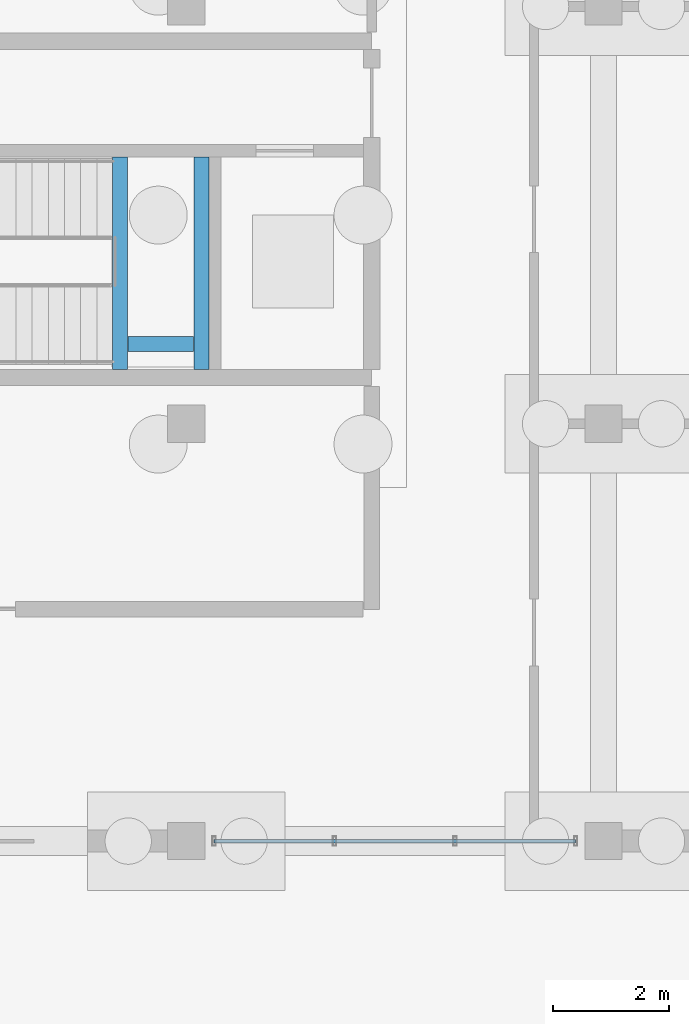
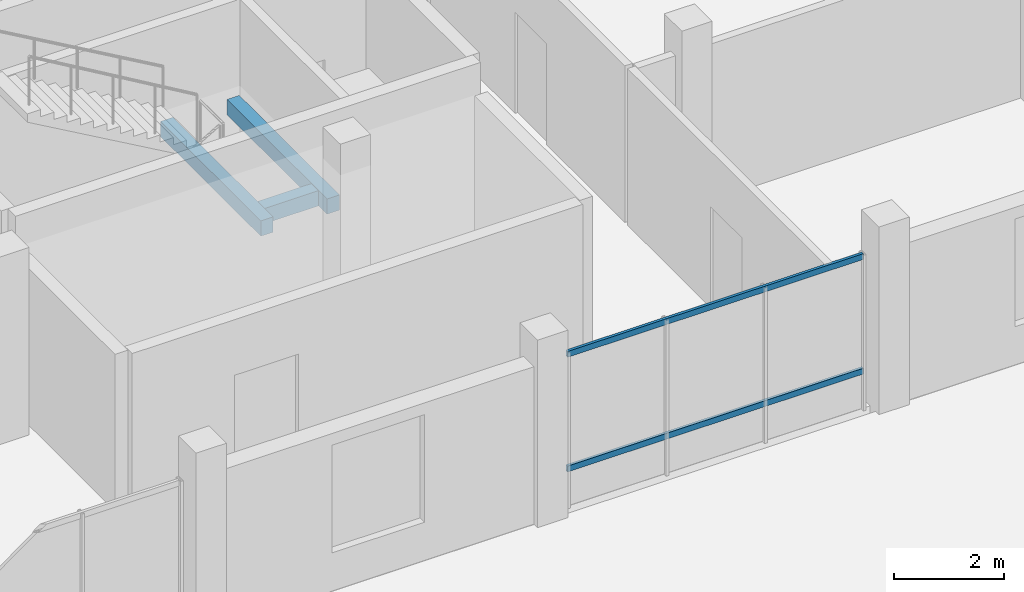
# One storey, part 53 of 98: 3 beams, 2 members, 1 element without a shape of its own.
"""IFC4 building model written with IfcOpenShell, lengths in metres."""

import ifcopenshell
import ifcopenshell.guid

model = None  # the IFC model being written
_history = None  # IfcOwnerHistory: only IFC2X3 demands one
_inside = {}  # id of a spatial element -> (the spatial element, [elements in it])
_under = {}  # id of a project, library or spatial element -> (it, [spatial elements below it])
_declared = {}  # id of a project -> (the project, [libraries it declares])
_typed = {}  # id of a type object -> (the type object, [elements of that type])
_made_of = {}  # id of a material, layer set ... -> (it, [elements and type objects made of it])


def new_model(schema):
    """Start an empty IFC model of exactly this schema.

    Asked for "IFC4X3", IfcOpenShell would pick the latest addendum, in which some entities
    have other attributes; the version numbers below select the first issue.
    IFC2X3 requires an IfcOwnerHistory on every rooted entity: one is made here for all.
    """
    global model, _history
    if schema == "IFC4X3":
        model = ifcopenshell.file(schema_version=(4, 3, 0, 0))
    else:
        model = ifcopenshell.file(schema=schema)
    _inside.clear()
    _under.clear()
    _declared.clear()
    _typed.clear()
    _made_of.clear()
    _history = None
    if model.schema == "IFC2X3":
        org = make("IfcOrganization", Name="unknown")
        user = make(
            "IfcPersonAndOrganization",
            ThePerson=make("IfcPerson", FamilyName="unknown"),
            TheOrganization=org,
        )
        app = make(
            "IfcApplication",
            ApplicationDeveloper=org,
            Version="unknown",
            ApplicationFullName="unknown",
            ApplicationIdentifier="unknown",
        )
        _history = make(
            "IfcOwnerHistory",
            OwningUser=user,
            OwningApplication=app,
            ChangeAction="ADDED",
            CreationDate=0,
        )
    return model


def make(cls, **values):
    """One entity of the class cls with the attributes given. An attribute that is None is left unset."""
    return model.create_entity(
        cls, **{name: value for name, value in values.items() if value is not None}
    )


def rooted(cls, **values):
    """An entity with a GlobalId (a new one), such as an element, a storey or a relation."""
    return make(cls, GlobalId=ifcopenshell.guid.new(), OwnerHistory=_history, **values)


def si_unit(unit_type, name, prefix=None):
    """IfcSIUnit, for example si_unit("LENGTHUNIT", "METRE", prefix="MILLI")."""
    return make("IfcSIUnit", UnitType=unit_type, Prefix=prefix, Name=name)


def assignment(units):
    """IfcUnitAssignment: the units of a project."""
    return None if units is None else make("IfcUnitAssignment", Units=units)


def point(xyz):
    """IfcCartesianPoint."""
    return None if xyz is None else make("IfcCartesianPoint", Coordinates=xyz)


def direction(xyz):
    """IfcDirection."""
    return None if xyz is None else make("IfcDirection", DirectionRatios=xyz)


def frame(location, z_axis=None, x_axis=None):
    """IfcAxis2Placement3D, a coordinate frame: its origin and axes. An axis left out is left unset."""
    return make(
        "IfcAxis2Placement3D",
        Location=point(location),
        Axis=direction(z_axis),
        RefDirection=direction(x_axis),
    )


def frame_2d(location, x_axis=None):
    """IfcAxis2Placement2D, a coordinate frame in the plane: its origin and x axis."""
    return make(
        "IfcAxis2Placement2D", Location=point(location), RefDirection=direction(x_axis)
    )


def origin():
    """The frame at (0, 0, 0) with its axes left unset."""
    return frame((0.0, 0.0, 0.0))


def origin_2d():
    """The frame at (0, 0) in the plane with its x axis left unset."""
    return frame_2d((0.0, 0.0))


def place(relative_to, where):
    """IfcLocalPlacement: puts the frame where relative to a parent placement (None: the world)."""
    return make(
        "IfcLocalPlacement", PlacementRelTo=relative_to, RelativePlacement=where
    )


def context(
    kind, dimensions, precision=None, world=None, true_north=None, identifier=None
):
    """IfcGeometricRepresentationContext, for example the 3D "Model" context."""
    return make(
        "IfcGeometricRepresentationContext",
        ContextIdentifier=identifier,
        ContextType=kind,
        CoordinateSpaceDimension=dimensions,
        Precision=precision,
        WorldCoordinateSystem=world,
        TrueNorth=true_north,
    )


def subcontext(parent, identifier, kind, view, scale=None):
    """IfcGeometricRepresentationSubContext, for example "Body" below "Model"."""
    return make(
        "IfcGeometricRepresentationSubContext",
        ContextIdentifier=identifier,
        ContextType=kind,
        ParentContext=parent,
        TargetScale=scale,
        TargetView=view,
    )


def project(units=None, contexts=None):
    """IfcProject with its units and contexts."""
    return rooted(
        "IfcProject",
        Name="project",
        RepresentationContexts=contexts,
        UnitsInContext=assignment(units),
    )


def spatial(cls, under=None, at=None, **own):
    """A site, building, storey or space (cls), placed at a placement, below another one or the project."""
    s = rooted(cls, ObjectPlacement=at, **own)
    if under is not None:
        _under.setdefault(under.id(), (under, []))[1].append(s)
    return s


def profile(cls, at=None, kind="AREA", **sizes):
    """A parametric profile (cls). Its sizes go by their IFC names, for example OverallWidth=200.0."""
    return make(cls, ProfileType=kind, Position=at, **sizes)


def rectangle(**sizes):
    """IfcRectangleProfileDef."""
    return profile("IfcRectangleProfileDef", **sizes)


def hollow_rectangle(**sizes):
    """IfcRectangleHollowProfileDef."""
    return profile("IfcRectangleHollowProfileDef", **sizes)


def extrude(swept, where, along, depth):
    """IfcExtrudedAreaSolid: the profile swept, set in the frame where, extruded along a direction by depth."""
    return make(
        "IfcExtrudedAreaSolid",
        SweptArea=swept,
        Position=where,
        ExtrudedDirection=direction(along),
        Depth=depth,
    )


def shape(context_of_items, identifier, shape_type, items):
    """IfcShapeRepresentation: the items that make up one representation, for example the "Body"."""
    return make(
        "IfcShapeRepresentation",
        ContextOfItems=context_of_items,
        RepresentationIdentifier=identifier,
        RepresentationType=shape_type,
        Items=items,
    )


def material(Name=None, Category=None):
    """IfcMaterial."""
    return make("IfcMaterial", Name=Name, Category=Category)


def material_profile(
    of_material, cross_section, Name=None, Category=None, Priority=None
):
    """IfcMaterialProfile: a cross section and its material."""
    return make(
        "IfcMaterialProfile",
        Name=Name,
        Material=of_material,
        Profile=cross_section,
        Priority=Priority,
        Category=Category,
    )


def profile_set(profiles, Name=None, composite=None):
    """IfcMaterialProfileSet."""
    return make(
        "IfcMaterialProfileSet",
        Name=Name,
        MaterialProfiles=profiles,
        CompositeProfile=composite,
    )


def made_of(thing, what):
    """Note that an element or type object is made of a material, layer set ...; save() writes the relation."""
    if what is not None:
        _made_of.setdefault(what.id(), (what, []))[1].append(thing)
    return thing


def type_object(cls, material=None, **own):
    """A type object (cls), such as IfcWallType, which elements share."""
    return made_of(rooted(cls, **own), material)


def element(
    cls,
    number,
    at=None,
    inside=None,
    cuts=None,
    type_object=None,
    material=None,
    context=None,
    identifier="Body",
    shape_type=None,
    held_by="IfcProductDefinitionShape",
    body=None,
    shapes=None,
    **own,
):
    """One element of the class cls, such as IfcWall. Its Tag is "e" and its number.

    at: its placement. inside: the storey or other place that contains it. cuts: it is an
    opening in that element (IfcRelVoidsElement). A single representation is given by context,
    identifier, shape_type and body (its items); several are given by shapes. held_by: the class
    of the entity that holds the representations. save() writes the other relations.
    """
    e = rooted(cls, Tag="e%d" % number, ObjectPlacement=at, **own)
    if body is not None:
        shapes = [shape(context, identifier, shape_type, body)]
    if shapes is not None:
        e.Representation = make(held_by, Representations=shapes)
    if inside is not None:
        _inside.setdefault(inside.id(), (inside, []))[1].append(e)
    if cuts is not None:
        rooted(
            "IfcRelVoidsElement", RelatingBuildingElement=cuts, RelatedOpeningElement=e
        )
    if type_object is not None:
        _typed.setdefault(type_object.id(), (type_object, []))[1].append(e)
    return made_of(e, material)


def aggregate(whole, parts):
    """IfcRelAggregates: a whole, such as a stair, and the parts it consists of."""
    return rooted("IfcRelAggregates", RelatingObject=whole, RelatedObjects=parts)


def save(model, path):
    """Write the relations noted so far, then the file.

    IfcRelAggregates (storeys below a building ...), IfcRelContainedInSpatialStructure (elements
    in a storey), IfcRelDefinesByType, IfcRelAssociatesMaterial and IfcRelDeclares: one each for
    every whole, place, type object, material and project.
    """
    for whole, parts in _under.values():
        aggregate(whole, parts)
    for where, things in _inside.values():
        rooted(
            "IfcRelContainedInSpatialStructure",
            RelatedElements=things,
            RelatingStructure=where,
        )
    for kind, things in _typed.values():
        rooted("IfcRelDefinesByType", RelatedObjects=things, RelatingType=kind)
    for what, things in _made_of.values():
        rooted("IfcRelAssociatesMaterial", RelatedObjects=things, RelatingMaterial=what)
    for by, libraries in _declared.values():
        rooted("IfcRelDeclares", RelatingContext=by, RelatedDefinitions=libraries)
    model.write(path)


model = new_model("IFC4")

# Units and contexts
model_context = context("Model", 3, precision=1e-05, world=origin(), true_north=direction((0.0, 1.0)))
body_context = subcontext(model_context, "Body", "Model", "MODEL_VIEW")
ifc_project = project(units=[si_unit("LENGTHUNIT", "METRE"), si_unit("AREAUNIT", "SQUARE_METRE"), si_unit("VOLUMEUNIT", "CUBIC_METRE"), si_unit("PLANEANGLEUNIT", "RADIAN"), si_unit("MASSUNIT", "GRAM", prefix="KILO")], contexts=[model_context])

# Site, building, storey
site_placement = place(None, origin())
site = spatial("IfcSite", under=ifc_project, at=site_placement, CompositionType="ELEMENT")
building_placement = place(site_placement, origin())
building = spatial("IfcBuilding", under=site, at=building_placement, Name="Zornivar Specialist Clinic", CompositionType="ELEMENT")
storey_placement = place(building_placement, origin())
storey = spatial("IfcBuildingStorey", under=building, at=storey_placement, Name="L00", CompositionType="ELEMENT", Elevation=0.0)

# Beams
ifc_material_1 = material(Name="Concrete C30/37", Category="concrete")
ifc_material_profile_1 = material_profile(ifc_material_1, rectangle(XDim=0.260009765625, YDim=0.340087890625, at=origin_2d()), Name="RC 260x340")
ifc_profile_set_1 = profile_set([ifc_material_profile_1], Name="Concrete C30/37")
beam_type = type_object("IfcBeamType", Name="BM-LAND-260x340", PredefinedType="BEAM", material=ifc_profile_set_1)
for number, where, z_axis, x_axis, name in (
    (1, (150.06005859375, 72.93994140625, 1.8701171875), (0.0, 1.0, 0.0), (-1.0, 0.0, 0.0), "bm:stair:C9:L00:lW"),
    (2, (151.4599609375, 72.93994140625, 1.8701171875), (0.0, 1.0, 0.0), (-1.0, 0.0, 0.0), "bm:stair:C9:L00:lE"),
):
    element("IfcBeam", number, at=place(storey_placement, frame(where, z_axis=z_axis, x_axis=x_axis)), inside=storey, type_object=beam_type, Name=name, PredefinedType="BEAM", context=body_context, shape_type="SweptSolid", body=[
        extrude(rectangle(XDim=0.260009765625, YDim=0.340087890625, at=origin_2d()), origin(), (0.0, 0.0, 1.0), 3.66015625),
    ])
beam_placement = place(storey_placement, frame((150.195068359375, 73.3798828125, 1.8701171875), z_axis=(1.0, 0.0, 0.0), x_axis=(0.0, 1.0, 0.0)))
element("IfcBeam", 3, at=beam_placement, inside=storey, type_object=beam_type, Name="bm:stair:C9:L00:lS", PredefinedType="BEAM", context=body_context, shape_type="SweptSolid", body=[
    extrude(rectangle(XDim=0.260009765625, YDim=0.340087890625, at=origin_2d()), origin(), (0.0, 0.0, 1.0), 1.1298828125),
])

# Curtain wall, members
ifc_material_2 = material(Name="Aluminium and Low-E Glass Curtain Wall", Category="aluminium")
curtain_wall_type = type_object("IfcCurtainWallType", Name="CW-LAB-NORTH", PredefinedType="NOTDEFINED", material=ifc_material_2)
curtain_wall_placement = place(storey_placement, origin())
curtain_wall = element("IfcCurtainWall", 4, at=curtain_wall_placement, inside=storey, type_object=curtain_wall_type, Name="cw:V6:L00:02", PredefinedType="NOTDEFINED")
ifc_material_3 = material(Name="Aluminium AW-6060", Category="aluminium")
ifc_material_profile_2 = material_profile(ifc_material_3, hollow_rectangle(XDim=0.06005859375, YDim=0.1298828125, WallThickness=0.00390625, at=origin_2d()), Name="ALU 60x130x4")
ifc_profile_set_2 = profile_set([ifc_material_profile_2], Name="Aluminium AW-6060")
member_type = type_object("IfcMemberType", Name="CWM-TRN-130", PredefinedType="USERDEFINED", material=ifc_profile_set_2)
member_1_placement = place(storey_placement, frame((151.679931640625, 64.800048828125, 0.85009765625), z_axis=(1.0, 0.0, 0.0), x_axis=(0.0, 1.0, 0.0)))
member_1 = element("IfcMember", 5, at=member_1_placement, type_object=member_type, Name="cw:V6:L00:02:trn:0", ObjectType="TRANSOM", PredefinedType="USERDEFINED", context=body_context, shape_type="SweptSolid", body=[
    extrude(hollow_rectangle(XDim=0.06005859375, YDim=0.1298828125, WallThickness=0.00390625, at=origin_2d()), origin(), (0.0, 0.0, 1.0), 6.239990234375),
])
member_2_placement = place(storey_placement, frame((151.679931640625, 64.800048828125, 3.405029296875), z_axis=(1.0, 0.0, 0.0), x_axis=(0.0, 1.0, 0.0)))
member_2 = element("IfcMember", 6, at=member_2_placement, type_object=member_type, Name="cw:V6:L00:02:trn:1", ObjectType="TRANSOM", PredefinedType="USERDEFINED", context=body_context, shape_type="SweptSolid", body=[
    extrude(hollow_rectangle(XDim=0.06005859375, YDim=0.1298828125, WallThickness=0.00390625, at=origin_2d()), origin(), (0.0, 0.0, 1.0), 6.239990234375),
])
aggregate(curtain_wall, [member_1, member_2])

save(model, "model.ifc")
